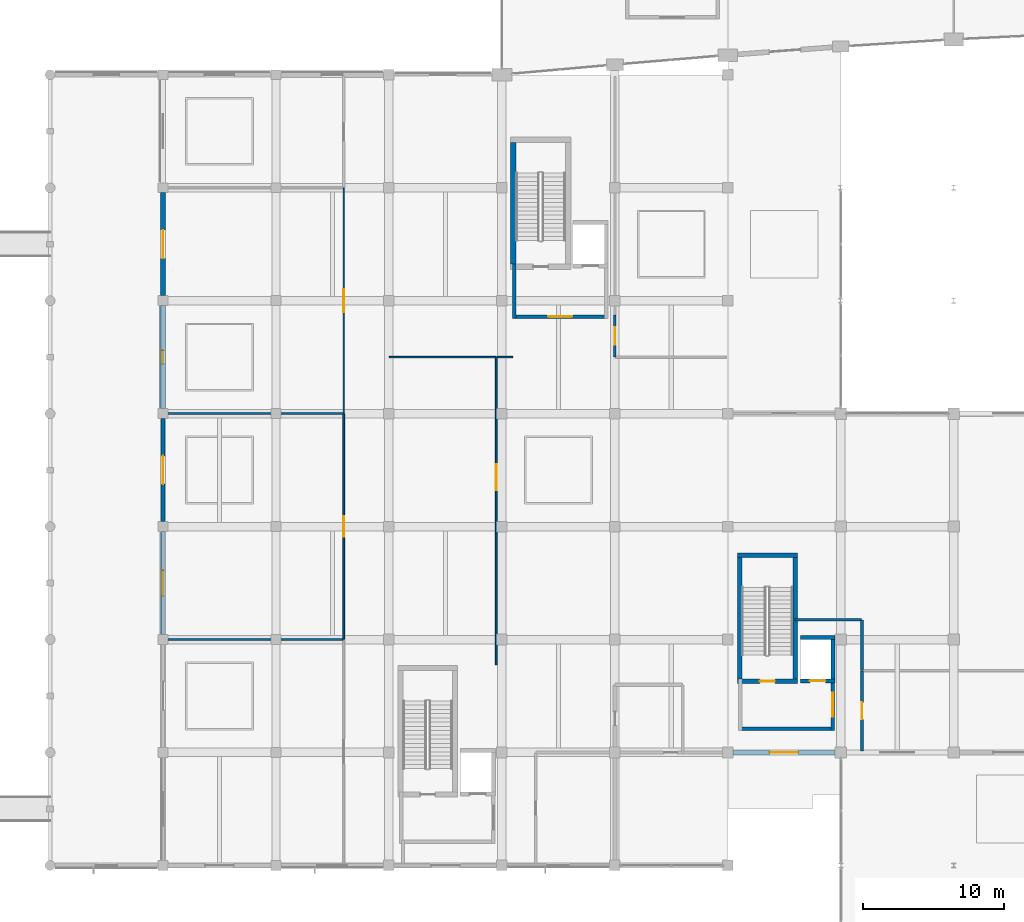
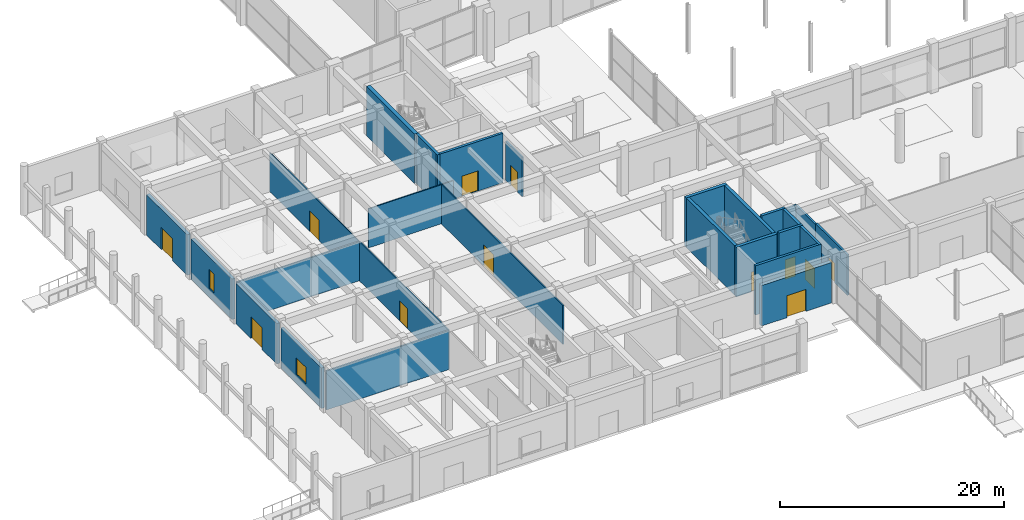
# One storey, part 55 of 86: 28 walls, 12 doors, 2 windows, 14 openings.
"""IFC4 building model written with IfcOpenShell, lengths in metres."""

from ifc_helpers import new_model, si_unit, direction, frame, frame_2d, origin, place, context, subcontext, project, spatial, rectangle, extrude, material, layer, layer_set, type_object, element, fill, save


model = new_model("IFC4")

# Units and contexts
model_context = context("Model", 3, precision=1e-05, world=origin(), true_north=direction((0.0, 1.0)))
body_context = subcontext(model_context, "Body", "Model", "MODEL_VIEW")
ifc_project = project(units=[si_unit("LENGTHUNIT", "METRE"), si_unit("AREAUNIT", "SQUARE_METRE"), si_unit("VOLUMEUNIT", "CUBIC_METRE"), si_unit("PLANEANGLEUNIT", "RADIAN"), si_unit("MASSUNIT", "GRAM", prefix="KILO")], contexts=[model_context])

# Site, building, storey
site_placement = place(None, origin())
site = spatial("IfcSite", under=ifc_project, at=site_placement, CompositionType="ELEMENT")
building_placement = place(site_placement, origin())
building = spatial("IfcBuilding", under=site, at=building_placement, Name="Kenh Van Central Station", CompositionType="ELEMENT")
storey_placement = place(building_placement, origin())
storey = spatial("IfcBuildingStorey", under=building, at=storey_placement, Name="L00", CompositionType="ELEMENT", Elevation=0.0)

# Walls
ifc_material_1 = material(Name="Lightweight acoustic masonry blockwork", Category="masonry")
ifc_layer_1 = layer(ifc_material_1, 0.18994140625, Name="Lightweight acoustic masonry blockwork")
ifc_layer_set_1 = layer_set([ifc_layer_1], Name="Lightweight acoustic masonry blockwork")
wall_type_1 = type_object("IfcWallType", Name="WL-COMP-190", PredefinedType="SOLIDWALL", material=ifc_layer_set_1)
wall_1_placement = place(storey_placement, frame((52.77001953125, 25.39990234375, 0.0), z_axis=(0.0, 0.0, 1.0), x_axis=(1.0, 0.0, 0.0)))
element("IfcWall", 1, at=wall_1_placement, inside=storey, type_object=wall_type_1, Name="L00 interior wall 0067", PredefinedType="SOLIDWALL", context=body_context, shape_type="SweptSolid", body=[
    extrude(rectangle(XDim=4.7099609375, YDim=0.18994140625, at=frame_2d((2.35498046875, 0.0))), origin(), (0.0, 0.0, 1.0), 4.27001953125),
])
wall_2_placement = place(storey_placement, frame((57.5, 21.820068359375, 0.0), z_axis=(0.0, 0.0, 1.0), x_axis=(0.0, 1.0, 0.0)))
element("IfcWall", 2, at=wall_2_placement, inside=storey, type_object=wall_type_1, Name="L00 interior wall 0069", PredefinedType="SOLIDWALL", context=body_context, shape_type="SweptSolid", body=[
    extrude(rectangle(XDim=3.559814453125, YDim=0.18994140625, at=frame_2d((1.77978515625, 0.0))), origin(), (0.0, 0.0, 1.0), 4.27001953125),
])

# Wall, opening, door
ifc_layer_2 = layer(ifc_material_1, 0.2099609375, Name="Lightweight acoustic masonry blockwork")
ifc_layer_set_2 = layer_set([ifc_layer_2], Name="Lightweight acoustic masonry blockwork")
wall_type_2 = type_object("IfcWallType", Name="WL-COMP-210", PredefinedType="SOLIDWALL", material=ifc_layer_set_2)
wall_3_placement = place(storey_placement, frame((57.5, 16.1201171875, 0.0), z_axis=(0.0, 0.0, 1.0), x_axis=(0.0, 1.0, 0.0)))
wall_3 = element("IfcWall", 3, at=wall_3_placement, inside=storey, type_object=wall_type_2, Name="L00 interior wall 0068", PredefinedType="SOLIDWALL", context=body_context, shape_type="SweptSolid", body=[
    extrude(rectangle(XDim=5.659912109375, YDim=0.2099609375, at=frame_2d((2.830078125, 0.0))), origin(), (0.0, 0.0, 1.0), 4.419921875),
])
opening_1_placement = place(wall_3_placement, frame((2.22998046875, 0.0, 0.0)))
opening_1 = element("IfcOpeningElement", 4, at=opening_1_placement, cuts=wall_3, Name="Opening D-FD60S", PredefinedType="OPENING", context=body_context, shape_type="SweptSolid", body=[
    extrude(rectangle(XDim=1.199951171875, YDim=2.14990234375, at=frame_2d((0.60009765625, 1.074951171875))), frame((0.0, 0.114990234375, 0.0), z_axis=(0.0, -1.0, 0.0), x_axis=(1.0, 0.0, 0.0)), (0.0, 0.0, 1.0), 0.22998046875),
])
ifc_material_2 = material(Name="Champagne anodised aluminium", Category="aluminium")
door_type_1 = type_object("IfcDoorType", Name="DR-FIRE-1200x2150", OperationType="NOTDEFINED", PredefinedType="DOOR", material=ifc_material_2)
door_1_placement = place(opening_1_placement, origin())
door_1 = element("IfcDoor", 5, at=door_1_placement, inside=storey, type_object=door_type_1, Name="L00 interior door 0038", OperationType="SINGLE_SWING_LEFT", OverallHeight=2.14990234375, OverallWidth=1.199951171875, PredefinedType="DOOR", context=body_context, shape_type="SweptSolid", body=[
    extrude(rectangle(XDim=1.199951171875, YDim=2.14990234375, at=frame_2d((0.60009765625, 1.074951171875))), frame((0.0, 0.02490234375, 0.0), z_axis=(0.0, -1.0, 0.0), x_axis=(1.0, 0.0, 0.0)), (0.0, 0.0, 1.0), 0.050048828125),
])
fill(opening_1, door_1)

ifc_material_3 = material(Name="Concrete C40/50", Category="concrete")
ifc_layer_3 = layer(ifc_material_3, 0.280029296875, Name="Concrete C40/50")
ifc_layer_set_3 = layer_set([ifc_layer_3], Name="Concrete C40/50")
wall_type_3 = type_object("IfcWallType", Name="WL-CORE-280", PredefinedType="SHEAR", material=ifc_layer_set_3)
wall_4_placement = place(storey_placement, frame((53.14990234375, 21.06005859375, 0.0), z_axis=(0.0, 0.0, 1.0), x_axis=(1.0, 0.0, 0.0)))
wall_4 = element("IfcWall", 6, at=wall_4_placement, inside=storey, type_object=wall_type_3, Name="L00 LIFT-P3 shaft wall S", PredefinedType="SHEAR", context=body_context, shape_type="SweptSolid", body=[
    extrude(rectangle(XDim=2.43017578125, YDim=0.280029296875, at=frame_2d((1.215087890625, 0.0))), origin(), (0.0, 0.0, 1.0), 5.39990234375),
])
opening_2_placement = place(wall_4_placement, frame((0.6650390625, 0.0, 0.0)))
opening_2 = element("IfcOpeningElement", 7, at=opening_2_placement, cuts=wall_4, Name="Opening LD-P1", PredefinedType="OPENING", context=body_context, shape_type="SweptSolid", body=[
    extrude(rectangle(XDim=1.10009765625, YDim=2.14990234375, at=frame_2d((0.550048828125, 1.074951171875))), frame((0.0, 0.14990234375, 0.0), z_axis=(0.0, -1.0, 0.0), x_axis=(1.0, 0.0, 0.0)), (0.0, 0.0, 1.0), 0.300048828125),
])
door_type_2 = type_object("IfcDoorType", Name="DR-LIFT-1100x2150", OperationType="SLIDING_TO_LEFT", PredefinedType="DOOR", material=ifc_material_2)
door_2_placement = place(opening_2_placement, origin())
door_2 = element("IfcDoor", 8, at=door_2_placement, inside=storey, type_object=door_type_2, Name="L00 LIFT-P3 sliding landing door", OperationType="SLIDING_TO_LEFT", OverallHeight=2.14990234375, OverallWidth=1.10009765625, PredefinedType="DOOR", context=body_context, shape_type="SweptSolid", body=[
    extrude(rectangle(XDim=1.10009765625, YDim=2.14990234375, at=frame_2d((0.550048828125, 1.074951171875))), frame((0.0, 0.02490234375, 0.0), z_axis=(0.0, -1.0, 0.0), x_axis=(1.0, 0.0, 0.0)), (0.0, 0.0, 1.0), 0.050048828125),
])
fill(opening_2, door_2)

# Walls
wall_5_placement = place(storey_placement, frame((53.14990234375, 24.139892578125, 0.0), z_axis=(0.0, 0.0, 1.0), x_axis=(1.0, 0.0, 0.0)))
element("IfcWall", 9, at=wall_5_placement, inside=storey, type_object=wall_type_3, Name="L00 LIFT-P3 shaft wall N", PredefinedType="SHEAR", context=body_context, shape_type="SweptSolid", body=[
    extrude(rectangle(XDim=2.43017578125, YDim=0.280029296875, at=frame_2d((1.215087890625, 0.0))), origin(), (0.0, 0.0, 1.0), 5.39990234375),
])
wall_6_placement = place(storey_placement, frame((55.43994140625, 21.199951171875, 0.0), z_axis=(0.0, 0.0, 1.0), x_axis=(0.0, 1.0, 0.0)))
element("IfcWall", 10, at=wall_6_placement, inside=storey, type_object=wall_type_3, Name="L00 LIFT-P3 shaft wall E", PredefinedType="SHEAR", context=body_context, shape_type="SweptSolid", body=[
    extrude(rectangle(XDim=2.800048828125, YDim=0.280029296875, at=frame_2d((1.39990234375, 0.0))), origin(), (0.0, 0.0, 1.0), 5.39990234375),
])

# Wall, opening, door
ifc_layer_4 = layer(ifc_material_3, 0.320068359375, Name="Concrete C40/50")
ifc_layer_set_4 = layer_set([ifc_layer_4], Name="Concrete C40/50")
wall_type_4 = type_object("IfcWallType", Name="WL-CORE-320", PredefinedType="SHEAR", material=ifc_layer_set_4)
wall_7_placement = place(storey_placement, frame((48.679931640625, 21.0400390625, 0.0), z_axis=(0.0, 0.0, 1.0), x_axis=(1.0, 0.0, 0.0)))
wall_7 = element("IfcWall", 11, at=wall_7_placement, inside=storey, type_object=wall_type_4, Name="L00 CORE-03 stair wall S", PredefinedType="SHEAR", context=body_context, shape_type="SweptSolid", body=[
    extrude(rectangle(XDim=4.239990234375, YDim=0.320068359375, at=frame_2d((2.1201171875, 0.0))), origin(), (0.0, 0.0, 1.0), 5.39990234375),
])
opening_3_placement = place(wall_7_placement, frame((1.594970703125, 0.0, 0.0)))
opening_3 = element("IfcOpeningElement", 12, at=opening_3_placement, cuts=wall_7, Name="Opening D-FD60", PredefinedType="OPENING", context=body_context, shape_type="SweptSolid", body=[
    extrude(rectangle(XDim=1.050048828125, YDim=2.14990234375, at=frame_2d((0.52490234375, 1.074951171875))), frame((0.0, 0.169921875, 0.0), z_axis=(0.0, -1.0, 0.0), x_axis=(1.0, 0.0, 0.0)), (0.0, 0.0, 1.0), 0.340087890625),
])
door_type_3 = type_object("IfcDoorType", Name="DR-FIRE-1050x2150", OperationType="NOTDEFINED", PredefinedType="DOOR", material=ifc_material_2)
door_3_placement = place(opening_3_placement, origin())
door_3 = element("IfcDoor", 13, at=door_3_placement, inside=storey, type_object=door_type_3, Name="L00 ST-03 stair door", OperationType="SINGLE_SWING_LEFT", OverallHeight=2.14990234375, OverallWidth=1.050048828125, PredefinedType="DOOR", context=body_context, shape_type="SweptSolid", body=[
    extrude(rectangle(XDim=1.050048828125, YDim=2.14990234375, at=frame_2d((0.52490234375, 1.074951171875))), frame((0.0, 0.02490234375, 0.0), z_axis=(0.0, -1.0, 0.0), x_axis=(1.0, 0.0, 0.0)), (0.0, 0.0, 1.0), 0.050048828125),
])
fill(opening_3, door_3)

# Walls
wall_8_placement = place(storey_placement, frame((48.679931640625, 29.9599609375, 0.0), z_axis=(0.0, 0.0, 1.0), x_axis=(1.0, 0.0, 0.0)))
element("IfcWall", 14, at=wall_8_placement, inside=storey, type_object=wall_type_4, Name="L00 CORE-03 stair wall N", PredefinedType="SHEAR", context=body_context, shape_type="SweptSolid", body=[
    extrude(rectangle(XDim=4.239990234375, YDim=0.320068359375, at=frame_2d((2.1201171875, 0.0))), origin(), (0.0, 0.0, 1.0), 5.39990234375),
])
for number, where, z_axis, x_axis, name in (
    (15, (48.840087890625, 21.199951171875, 0.0), (0.0, 0.0, 1.0), (0.0, 1.0, 0.0), "L00 CORE-03 stair wall W"),
    (16, (52.760009765625, 21.199951171875, 0.0), (0.0, 0.0, 1.0), (0.0, 1.0, 0.0), "L00 CORE-03 stair wall E"),
):
    element("IfcWall", number, at=place(storey_placement, frame(where, z_axis=z_axis, x_axis=x_axis)), inside=storey, type_object=wall_type_4, Name=name, PredefinedType="SHEAR", context=body_context, shape_type="SweptSolid", body=[
        extrude(rectangle(XDim=8.60009765625, YDim=0.320068359375, at=frame_2d((4.300048828125, 0.0))), origin(), (0.0, 0.0, 1.0), 5.39990234375),
    ])
ifc_layer_5 = layer(ifc_material_3, 0.39990234375, Name="Concrete C40/50")
ifc_layer_set_5 = layer_set([ifc_layer_5], Name="Concrete C40/50")
wall_type_5 = type_object("IfcWallType", Name="WL-CORE-400", PredefinedType="SHEAR", material=ifc_layer_set_5)
wall_9_placement = place(storey_placement, frame((32.800048828125, 50.60009765625, 0.0), z_axis=(0.0, 0.0, 1.0), x_axis=(0.0, 1.0, 0.0)))
element("IfcWall", 17, at=wall_9_placement, inside=storey, type_object=wall_type_5, Name="L00 CORE-02 stair wall W", PredefinedType="SHEAR", context=body_context, shape_type="SweptSolid", body=[
    extrude(rectangle(XDim=8.599853515625, YDim=0.39990234375, at=frame_2d((4.2998046875, 0.0))), origin(), (0.0, 0.0, 1.0), 5.39990234375),
])

# Wall, opening, window
ifc_material_4 = material(Name="Saigon buff sandstone and terracotta masonry", Category="masonry")
ifc_layer_6 = layer(ifc_material_4, 0.2900390625, Name="Saigon buff sandstone and terracotta masonry")
ifc_layer_set_6 = layer_set([ifc_layer_6], Name="Saigon buff sandstone and terracotta masonry")
wall_type_6 = type_object("IfcWallType", Name="WL-EXT-290", PredefinedType="STANDARD", material=ifc_layer_set_6)
wall_10_placement = place(storey_placement, frame((8.0, 31.64990234375, 0.0), z_axis=(0.0, 0.0, 1.0), x_axis=(0.0, -1.0, 0.0)))
wall_10 = element("IfcWall", 18, at=wall_10_placement, inside=storey, type_object=wall_type_6, Name="L00 exterior wall 028", PredefinedType="STANDARD", context=body_context, shape_type="SweptSolid", body=[
    extrude(rectangle(XDim=7.2998046875, YDim=0.2900390625, at=frame_2d((3.64990234375, 0.0))), origin(), (0.0, 0.0, 1.0), 4.419921875),
])
opening_4_placement = place(wall_10_placement, frame((2.75, 0.0, 0.949951171875)))
opening_4 = element("IfcOpeningElement", 19, at=opening_4_placement, cuts=wall_10, Name="Opening WN-13", PredefinedType="OPENING", context=body_context, shape_type="SweptSolid", body=[
    extrude(rectangle(XDim=1.800048828125, YDim=1.85009765625, at=frame_2d((0.89990234375, 0.925048828125))), frame((0.0, 0.155029296875, 0.0), z_axis=(0.0, -1.0, 0.0), x_axis=(1.0, 0.0, 0.0)), (0.0, 0.0, 1.0), 0.31005859375),
])
ifc_material_5 = material(Name="Double-glazed low-E laminated solar glass", Category="glass")
window_type_1 = type_object("IfcWindowType", Name="WN-OP00-1800x1850", PartitioningType="DOUBLE_PANEL_VERTICAL", PredefinedType="WINDOW", material=ifc_material_5)
window_1_placement = place(opening_4_placement, origin())
window_1 = element("IfcWindow", 20, at=window_1_placement, inside=storey, type_object=window_type_1, Name="L00 window 007", OverallHeight=1.85009765625, OverallWidth=1.800048828125, PartitioningType="SINGLE_PANEL", PredefinedType="WINDOW", context=body_context, shape_type="SweptSolid", body=[
    extrude(rectangle(XDim=1.800048828125, YDim=1.85009765625, at=frame_2d((0.89990234375, 0.925048828125))), frame((0.0, 0.030029296875, 0.0), z_axis=(0.0, -1.0, 0.0), x_axis=(1.0, 0.0, 0.0)), (0.0, 0.0, 1.0), 0.06005859375),
])
fill(opening_4, window_1)

# Wall, opening, door
ifc_layer_7 = layer(ifc_material_4, 0.31005859375, Name="Saigon buff sandstone and terracotta masonry")
ifc_layer_set_7 = layer_set([ifc_layer_7], Name="Saigon buff sandstone and terracotta masonry")
wall_type_7 = type_object("IfcWallType", Name="WL-EXT-310", PredefinedType="STANDARD", material=ifc_layer_set_7)
wall_11_placement = place(storey_placement, frame((8.0, 39.64990234375, 0.0), z_axis=(0.0, 0.0, 1.0), x_axis=(0.0, -1.0, 0.0)))
wall_11 = element("IfcWall", 21, at=wall_11_placement, inside=storey, type_object=wall_type_7, Name="L00 exterior wall 027", PredefinedType="STANDARD", context=body_context, shape_type="SweptSolid", body=[
    extrude(rectangle(XDim=7.2998046875, YDim=0.31005859375, at=frame_2d((3.64990234375, 0.0))), origin(), (0.0, 0.0, 1.0), 4.419921875),
])
opening_5_placement = place(wall_11_placement, frame((2.64990234375, 0.0, 0.0)))
opening_5 = element("IfcOpeningElement", 22, at=opening_5_placement, cuts=wall_11, Name="Opening D-EX3", PredefinedType="OPENING", context=body_context, shape_type="SweptSolid", body=[
    extrude(rectangle(XDim=2.0, YDim=2.39990234375, at=frame_2d((1.0, 1.199951171875))), frame((0.0, 0.1650390625, 0.0), z_axis=(0.0, -1.0, 0.0), x_axis=(1.0, 0.0, 0.0)), (0.0, 0.0, 1.0), 0.330078125),
])
door_type_4 = type_object("IfcDoorType", Name="DR-EXT-2000x2400", OperationType="DOUBLE_DOOR_SINGLE_SWING", PredefinedType="DOOR", material=ifc_material_2)
door_4_placement = place(opening_5_placement, frame((2.0, 0.0, 0.0), z_axis=(0.0, 0.0, 1.0), x_axis=(-1.0, 0.0, 0.0)))
door_4 = element("IfcDoor", 23, at=door_4_placement, inside=storey, type_object=door_type_4, Name="L00 exterior door 021", OperationType="DOUBLE_DOOR_SINGLE_SWING", OverallHeight=2.39990234375, OverallWidth=2.0, PredefinedType="DOOR", context=body_context, shape_type="SweptSolid", body=[
    extrude(rectangle(XDim=2.0, YDim=2.39990234375, at=frame_2d((-1.0, 1.199951171875))), frame((0.0, -0.02490234375, 0.0), z_axis=(0.0, 1.0, 0.0), x_axis=(-1.0, 0.0, 0.0)), (0.0, 0.0, 1.0), 0.050048828125),
])
fill(opening_5, door_4)

# Wall, opening, window
ifc_layer_8 = layer(ifc_material_4, 0.330078125, Name="Saigon buff sandstone and terracotta masonry")
ifc_layer_set_8 = layer_set([ifc_layer_8], Name="Saigon buff sandstone and terracotta masonry")
wall_type_8 = type_object("IfcWallType", Name="WL-EXT-330", PredefinedType="STANDARD", material=ifc_layer_set_8)
wall_12_placement = place(storey_placement, frame((8.0, 47.64990234375, 0.0), z_axis=(0.0, 0.0, 1.0), x_axis=(0.0, -1.0, 0.0)))
wall_12 = element("IfcWall", 24, at=wall_12_placement, inside=storey, type_object=wall_type_8, Name="L00 exterior wall 026", PredefinedType="STANDARD", context=body_context, shape_type="SweptSolid", body=[
    extrude(rectangle(XDim=7.2998046875, YDim=0.330078125, at=frame_2d((3.64990234375, 0.0))), origin(), (0.0, 0.0, 1.0), 4.419921875),
])
opening_6_placement = place(wall_12_placement, frame((3.175048828125, 0.0, 0.949951171875)))
opening_6 = element("IfcOpeningElement", 25, at=opening_6_placement, cuts=wall_12, Name="Opening WN-24", PredefinedType="OPENING", context=body_context, shape_type="SweptSolid", body=[
    extrude(rectangle(XDim=0.949951171875, YDim=2.10009765625, at=frame_2d((0.47509765625, 1.050048828125))), frame((0.0, 0.175048828125, 0.0), z_axis=(0.0, -1.0, 0.0), x_axis=(1.0, 0.0, 0.0)), (0.0, 0.0, 1.0), 0.35009765625),
])
window_type_2 = type_object("IfcWindowType", Name="WN-SLOT-950x2100", PartitioningType="SINGLE_PANEL", PredefinedType="WINDOW", material=ifc_material_5)
window_2_placement = place(opening_6_placement, origin())
window_2 = element("IfcWindow", 26, at=window_2_placement, inside=storey, type_object=window_type_2, Name="L00 window 006", OverallHeight=2.10009765625, OverallWidth=0.949951171875, PartitioningType="SINGLE_PANEL", PredefinedType="WINDOW", context=body_context, shape_type="SweptSolid", body=[
    extrude(rectangle(XDim=0.949951171875, YDim=2.10009765625, at=frame_2d((0.47509765625, 1.050048828125))), frame((0.0, 0.030029296875, 0.0), z_axis=(0.0, -1.0, 0.0), x_axis=(1.0, 0.0, 0.0)), (0.0, 0.0, 1.0), 0.06005859375),
])
fill(opening_6, window_2)

# Wall, opening, door
ifc_layer_9 = layer(ifc_material_4, 0.35009765625, Name="Saigon buff sandstone and terracotta masonry")
ifc_layer_set_9 = layer_set([ifc_layer_9], Name="Saigon buff sandstone and terracotta masonry")
wall_type_9 = type_object("IfcWallType", Name="WL-EXT-350", PredefinedType="STANDARD", material=ifc_layer_set_9)
wall_13_placement = place(storey_placement, frame((8.0, 55.64990234375, 0.0), z_axis=(0.0, 0.0, 1.0), x_axis=(0.0, -1.0, 0.0)))
wall_13 = element("IfcWall", 27, at=wall_13_placement, inside=storey, type_object=wall_type_9, Name="L00 exterior wall 025", PredefinedType="STANDARD", context=body_context, shape_type="SweptSolid", body=[
    extrude(rectangle(XDim=7.2998046875, YDim=0.35009765625, at=frame_2d((3.64990234375, 0.0))), origin(), (0.0, 0.0, 1.0), 4.419921875),
])
opening_7_placement = place(wall_13_placement, frame((2.64990234375, 0.0, 0.0)))
opening_7 = element("IfcOpeningElement", 28, at=opening_7_placement, cuts=wall_13, Name="Opening D-EX3", PredefinedType="OPENING", context=body_context, shape_type="SweptSolid", body=[
    extrude(rectangle(XDim=2.0, YDim=2.39990234375, at=frame_2d((1.0, 1.199951171875))), frame((0.0, 0.18505859375, 0.0), z_axis=(0.0, -1.0, 0.0), x_axis=(1.0, 0.0, 0.0)), (0.0, 0.0, 1.0), 0.3701171875),
])
door_5_placement = place(opening_7_placement, frame((2.0, 0.0, 0.0), z_axis=(0.0, 0.0, 1.0), x_axis=(-1.0, 0.0, 0.0)))
door_5 = element("IfcDoor", 29, at=door_5_placement, inside=storey, type_object=door_type_4, Name="L00 exterior door 020", OperationType="DOUBLE_DOOR_SINGLE_SWING", OverallHeight=2.39990234375, OverallWidth=2.0, PredefinedType="DOOR", context=body_context, shape_type="SweptSolid", body=[
    extrude(rectangle(XDim=2.0, YDim=2.39990234375, at=frame_2d((-1.0, 1.199951171875))), frame((0.0, -0.02490234375, 0.0), z_axis=(0.0, 1.0, 0.0), x_axis=(-1.0, 0.0, 0.0)), (0.0, 0.0, 1.0), 0.050048828125),
])
fill(opening_7, door_5)

ifc_layer_10 = layer(ifc_material_4, 0.3798828125, Name="Saigon buff sandstone and terracotta masonry")
ifc_layer_set_10 = layer_set([ifc_layer_10], Name="Saigon buff sandstone and terracotta masonry")
wall_type_10 = type_object("IfcWallType", Name="WL-EXT-380", PredefinedType="STANDARD", material=ifc_layer_set_10)
wall_14_placement = place(storey_placement, frame((48.375, 16.0, 0.0), z_axis=(0.0, 0.0, 1.0), x_axis=(1.0, 0.0, 0.0)))
wall_14 = element("IfcWall", 30, at=wall_14_placement, inside=storey, type_object=wall_type_10, Name="L00 exterior wall 008", PredefinedType="STANDARD", context=body_context, shape_type="SweptSolid", body=[
    extrude(rectangle(XDim=7.22509765625, YDim=0.3798828125, at=frame_2d((3.612548828125, 0.0))), origin(), (0.0, 0.0, 1.0), 4.419921875),
])
opening_8_placement = place(wall_14_placement, frame((2.612548828125, 0.0, 0.0)))
opening_8 = element("IfcOpeningElement", 31, at=opening_8_placement, cuts=wall_14, Name="Opening D-EX3", PredefinedType="OPENING", context=body_context, shape_type="SweptSolid", body=[
    extrude(rectangle(XDim=2.0, YDim=2.39990234375, at=frame_2d((1.0, 1.199951171875))), frame((0.0, 0.199951171875, 0.0), z_axis=(0.0, -1.0, 0.0), x_axis=(1.0, 0.0, 0.0)), (0.0, 0.0, 1.0), 0.39990234375),
])
door_6_placement = place(opening_8_placement, frame((2.0, 0.0, 0.0), z_axis=(0.0, 0.0, 1.0), x_axis=(-1.0, 0.0, 0.0)))
door_6 = element("IfcDoor", 32, at=door_6_placement, inside=storey, type_object=door_type_4, Name="L00 exterior door 007", OperationType="DOUBLE_DOOR_SINGLE_SWING", OverallHeight=2.39990234375, OverallWidth=2.0, PredefinedType="DOOR", context=body_context, shape_type="SweptSolid", body=[
    extrude(rectangle(XDim=2.0, YDim=2.39990234375, at=frame_2d((-1.0, 1.199951171875))), frame((0.0, -0.02490234375, 0.0), z_axis=(0.0, 1.0, 0.0), x_axis=(-1.0, 0.0, 0.0)), (0.0, 0.0, 1.0), 0.050048828125),
])
fill(opening_8, door_6)

ifc_layer_11 = layer(ifc_material_3, 0.260009765625, Name="Concrete C40/50")
ifc_layer_set_11 = layer_set([ifc_layer_11], Name="Concrete C40/50")
wall_type_11 = type_object("IfcWallType", Name="WL-FIRE-260", PredefinedType="SHEAR", material=ifc_layer_set_11)
wall_15_placement = place(storey_placement, frame((39.510009765625, 46.8701171875, 0.0), z_axis=(0.0, 0.0, 1.0), x_axis=(-1.0, 0.0, 0.0)))
wall_15 = element("IfcWall", 33, at=wall_15_placement, inside=storey, type_object=wall_type_11, Name="L00 CORE-02 lobby wall S", PredefinedType="SHEAR", context=body_context, shape_type="SweptSolid", body=[
    extrude(rectangle(XDim=6.77001953125, YDim=0.260009765625, at=frame_2d((3.385009765625, 0.0))), origin(), (0.0, 0.0, 1.0), 5.39990234375),
])
opening_9_placement = place(wall_15_placement, frame((2.534912109375, 0.0, 0.0)))
opening_9 = element("IfcOpeningElement", 34, at=opening_9_placement, cuts=wall_15, Name="Opening D-FD60D", PredefinedType="OPENING", context=body_context, shape_type="SweptSolid", body=[
    extrude(rectangle(XDim=1.699951171875, YDim=2.199951171875, at=frame_2d((0.85009765625, 1.10009765625))), frame((0.0, 0.139892578125, 0.0), z_axis=(0.0, -1.0, 0.0), x_axis=(1.0, 0.0, 0.0)), (0.0, 0.0, 1.0), 0.280029296875),
])
door_type_5 = type_object("IfcDoorType", Name="DR-FIRE-1700x2200", OperationType="DOUBLE_DOOR_SINGLE_SWING", PredefinedType="DOOR", material=ifc_material_2)
door_7_placement = place(opening_9_placement, origin())
door_7 = element("IfcDoor", 35, at=door_7_placement, inside=storey, type_object=door_type_5, Name="L00 CORE-02 smoke-stop lobby door", OperationType="DOUBLE_DOOR_SINGLE_SWING", OverallHeight=2.199951171875, OverallWidth=1.699951171875, PredefinedType="DOOR", context=body_context, shape_type="SweptSolid", body=[
    extrude(rectangle(XDim=1.699951171875, YDim=2.199951171875, at=frame_2d((0.85009765625, 1.10009765625))), frame((0.0, 0.02490234375, 0.0), z_axis=(0.0, -1.0, 0.0), x_axis=(1.0, 0.0, 0.0)), (0.0, 0.0, 1.0), 0.050048828125),
])
fill(opening_9, door_7)

# Walls
wall_16_placement = place(storey_placement, frame((32.8701171875, 46.739990234375, 0.0), z_axis=(0.0, 0.0, 1.0), x_axis=(0.0, 1.0, 0.0)))
element("IfcWall", 36, at=wall_16_placement, inside=storey, type_object=wall_type_11, Name="L00 CORE-02 lobby wall W", PredefinedType="SHEAR", context=body_context, shape_type="SweptSolid", body=[
    extrude(rectangle(XDim=3.860107421875, YDim=0.260009765625, at=frame_2d((1.93017578125, 0.0))), origin(), (0.0, 0.0, 1.0), 5.39990234375),
])
wall_17_placement = place(storey_placement, frame((55.56005859375, 17.669921875, 0.0), z_axis=(0.0, 0.0, 1.0), x_axis=(-1.0, 0.0, 0.0)))
element("IfcWall", 37, at=wall_17_placement, inside=storey, type_object=wall_type_11, Name="L00 CORE-03 lobby wall S", PredefinedType="SHEAR", context=body_context, shape_type="SweptSolid", body=[
    extrude(rectangle(XDim=6.820068359375, YDim=0.260009765625, at=frame_2d((3.41015625, 0.0))), origin(), (0.0, 0.0, 1.0), 5.39990234375),
])

# Wall, opening, door
wall_18_placement = place(storey_placement, frame((55.429931640625, 17.5400390625, 0.0), z_axis=(0.0, 0.0, 1.0), x_axis=(0.0, 1.0, 0.0)))
wall_18 = element("IfcWall", 38, at=wall_18_placement, inside=storey, type_object=wall_type_11, Name="L00 CORE-03 lobby wall E", PredefinedType="SHEAR", context=body_context, shape_type="SweptSolid", body=[
    extrude(rectangle(XDim=3.659912109375, YDim=0.260009765625, at=frame_2d((1.830078125, 0.0))), origin(), (0.0, 0.0, 1.0), 5.39990234375),
])
opening_10_placement = place(wall_18_placement, frame((0.97998046875, 0.0, 0.0)))
opening_10 = element("IfcOpeningElement", 39, at=opening_10_placement, cuts=wall_18, Name="Opening D-FD60D", PredefinedType="OPENING", context=body_context, shape_type="SweptSolid", body=[
    extrude(rectangle(XDim=1.699951171875, YDim=2.199951171875, at=frame_2d((0.85009765625, 1.10009765625))), frame((0.0, 0.139892578125, 0.0), z_axis=(0.0, -1.0, 0.0), x_axis=(1.0, 0.0, 0.0)), (0.0, 0.0, 1.0), 0.280029296875),
])
door_8_placement = place(opening_10_placement, origin())
door_8 = element("IfcDoor", 40, at=door_8_placement, inside=storey, type_object=door_type_5, Name="L00 CORE-03 smoke-stop lobby door", OperationType="DOUBLE_DOOR_SINGLE_SWING", OverallHeight=2.199951171875, OverallWidth=1.699951171875, PredefinedType="DOOR", context=body_context, shape_type="SweptSolid", body=[
    extrude(rectangle(XDim=1.699951171875, YDim=2.199951171875, at=frame_2d((0.85009765625, 1.10009765625))), frame((0.0, 0.02490234375, 0.0), z_axis=(0.0, -1.0, 0.0), x_axis=(1.0, 0.0, 0.0)), (0.0, 0.0, 1.0), 0.050048828125),
])
fill(opening_10, door_8)

ifc_layer_12 = layer(ifc_material_1, 0.10009765625, Name="Lightweight acoustic masonry blockwork")
ifc_layer_set_12 = layer_set([ifc_layer_12], Name="Lightweight acoustic masonry blockwork")
wall_type_12 = type_object("IfcWallType", Name="WL-PART-100", PredefinedType="PARTITIONING", material=ifc_layer_set_12)
wall_19_placement = place(storey_placement, frame((20.800048828125, 40.02001953125, 0.0), z_axis=(0.0, 0.0, 1.0), x_axis=(0.0, 1.0, 0.0)))
wall_19 = element("IfcWall", 41, at=wall_19_placement, inside=storey, type_object=wall_type_12, Name="L00 interior wall 0041", PredefinedType="PARTITIONING", context=body_context, shape_type="SweptSolid", body=[
    extrude(rectangle(XDim=15.9599609375, YDim=0.10009765625, at=frame_2d((7.97998046875, 0.0))), origin(), (0.0, 0.0, 1.0), 4.27001953125),
])
opening_11_placement = place(wall_19_placement, frame((7.155029296875, 0.0, 0.0)))
opening_11 = element("IfcOpeningElement", 42, at=opening_11_placement, cuts=wall_19, Name="Opening D-IN02", PredefinedType="OPENING", context=body_context, shape_type="SweptSolid", body=[
    extrude(rectangle(XDim=1.64990234375, YDim=2.25, at=frame_2d((0.824951171875, 1.125))), frame((0.0, 0.06005859375, 0.0), z_axis=(0.0, -1.0, 0.0), x_axis=(1.0, 0.0, 0.0)), (0.0, 0.0, 1.0), 0.1201171875),
])
ifc_material_6 = material(Name="Architectural hardwood timber", Category="wood")
door_type_6 = type_object("IfcDoorType", Name="DR-INT-1650x2250", OperationType="DOUBLE_DOOR_SINGLE_SWING", PredefinedType="DOOR", material=ifc_material_6)
door_9_placement = place(opening_11_placement, origin())
door_9 = element("IfcDoor", 43, at=door_9_placement, inside=storey, type_object=door_type_6, Name="L00 interior door 0024", OperationType="DOUBLE_DOOR_SINGLE_SWING", OverallHeight=2.25, OverallWidth=1.64990234375, PredefinedType="DOOR", context=body_context, shape_type="SweptSolid", body=[
    extrude(rectangle(XDim=1.64990234375, YDim=2.25, at=frame_2d((0.824951171875, 1.125))), frame((0.0, 0.02490234375, 0.0), z_axis=(0.0, -1.0, 0.0), x_axis=(1.0, 0.0, 0.0)), (0.0, 0.0, 1.0), 0.050048828125),
])
fill(opening_11, door_9)

# Wall
wall_20_placement = place(storey_placement, frame((31.6201171875, 44.0, 0.0), z_axis=(0.0, 0.0, 1.0), x_axis=(1.0, 0.0, 0.0)))
element("IfcWall", 44, at=wall_20_placement, inside=storey, type_object=wall_type_12, Name="L00 interior wall 0048", PredefinedType="PARTITIONING", context=body_context, shape_type="SweptSolid", body=[
    extrude(rectangle(XDim=1.159912109375, YDim=0.10009765625, at=frame_2d((0.580078125, 0.0))), origin(), (0.0, 0.0, 1.0), 4.27001953125),
])

# Wall, opening, door
ifc_layer_13 = layer(ifc_material_1, 0.114990234375, Name="Lightweight acoustic masonry blockwork")
ifc_layer_set_13 = layer_set([ifc_layer_13], Name="Lightweight acoustic masonry blockwork")
wall_type_13 = type_object("IfcWallType", Name="WL-PART-115", PredefinedType="PARTITIONING", material=ifc_layer_set_13)
wall_21_placement = place(storey_placement, frame((20.800048828125, 24.02001953125, 0.0), z_axis=(0.0, 0.0, 1.0), x_axis=(0.0, 1.0, 0.0)))
wall_21 = element("IfcWall", 45, at=wall_21_placement, inside=storey, type_object=wall_type_13, Name="L00 interior wall 0040", PredefinedType="PARTITIONING", context=body_context, shape_type="SweptSolid", body=[
    extrude(rectangle(XDim=15.9599609375, YDim=0.114990234375, at=frame_2d((7.97998046875, 0.0))), origin(), (0.0, 0.0, 1.0), 4.27001953125),
])
opening_12_placement = place(wall_21_placement, frame((7.2548828125, 0.0, 0.0)))
opening_12 = element("IfcOpeningElement", 46, at=opening_12_placement, cuts=wall_21, Name="Opening D-IN03", PredefinedType="OPENING", context=body_context, shape_type="SweptSolid", body=[
    extrude(rectangle(XDim=1.449951171875, YDim=2.199951171875, at=frame_2d((0.72509765625, 1.10009765625))), frame((0.0, 0.0673828125, 0.0), z_axis=(0.0, -1.0, 0.0), x_axis=(1.0, 0.0, 0.0)), (0.0, 0.0, 1.0), 0.135009765625),
])
door_type_7 = type_object("IfcDoorType", Name="DR-INT-1450x2200", OperationType="DOUBLE_DOOR_SINGLE_SWING", PredefinedType="DOOR", material=ifc_material_6)
door_10_placement = place(opening_12_placement, origin())
door_10 = element("IfcDoor", 47, at=door_10_placement, inside=storey, type_object=door_type_7, Name="L00 interior door 0023", OperationType="DOUBLE_DOOR_SINGLE_SWING", OverallHeight=2.199951171875, OverallWidth=1.449951171875, PredefinedType="DOOR", context=body_context, shape_type="SweptSolid", body=[
    extrude(rectangle(XDim=1.449951171875, YDim=2.199951171875, at=frame_2d((0.72509765625, 1.10009765625))), frame((0.0, 0.02490234375, 0.0), z_axis=(0.0, -1.0, 0.0), x_axis=(1.0, 0.0, 0.0)), (0.0, 0.0, 1.0), 0.050048828125),
])
fill(opening_12, door_10)

# Wall
wall_22_placement = place(storey_placement, frame((24.02001953125, 44.0, 0.0), z_axis=(0.0, 0.0, 1.0), x_axis=(1.0, 0.0, 0.0)))
element("IfcWall", 48, at=wall_22_placement, inside=storey, type_object=wall_type_13, Name="L00 interior wall 0047", PredefinedType="PARTITIONING", context=body_context, shape_type="SweptSolid", body=[
    extrude(rectangle(XDim=7.56005859375, YDim=0.114990234375, at=frame_2d((3.780029296875, 0.0))), origin(), (0.0, 0.0, 1.0), 4.27001953125),
])

# Wall, opening, door
ifc_layer_14 = layer(ifc_material_1, 0.125, Name="Lightweight acoustic masonry blockwork")
ifc_layer_set_14 = layer_set([ifc_layer_14], Name="Lightweight acoustic masonry blockwork")
wall_type_14 = type_object("IfcWallType", Name="WL-PART-125", PredefinedType="PARTITIONING", material=ifc_layer_set_14)
wall_23_placement = place(storey_placement, frame((31.60009765625, 22.219970703125, 0.0), z_axis=(0.0, 0.0, 1.0), x_axis=(0.0, 1.0, 0.0)))
wall_23 = element("IfcWall", 49, at=wall_23_placement, inside=storey, type_object=wall_type_14, Name="L00 interior wall 0046", PredefinedType="PARTITIONING", context=body_context, shape_type="SweptSolid", body=[
    extrude(rectangle(XDim=21.760009765625, YDim=0.125, at=frame_2d((10.8798828125, 0.0))), origin(), (0.0, 0.0, 1.0), 4.27001953125),
])
opening_13_placement = place(wall_23_placement, frame((12.34423828125, 0.0, 0.0)))
opening_13 = element("IfcOpeningElement", 50, at=opening_13_placement, cuts=wall_23, Name="Opening D-IN01", PredefinedType="OPENING", context=body_context, shape_type="SweptSolid", body=[
    extrude(rectangle(XDim=1.85009765625, YDim=2.300048828125, at=frame_2d((0.925048828125, 1.14990234375))), frame((0.0, 0.072509765625, 0.0), z_axis=(0.0, -1.0, 0.0), x_axis=(1.0, 0.0, 0.0)), (0.0, 0.0, 1.0), 0.14501953125),
])
door_type_8 = type_object("IfcDoorType", Name="DR-INT-1850x2300", OperationType="DOUBLE_DOOR_SINGLE_SWING", PredefinedType="DOOR", material=ifc_material_6)
door_11_placement = place(opening_13_placement, origin())
door_11 = element("IfcDoor", 51, at=door_11_placement, inside=storey, type_object=door_type_8, Name="L00 interior door 0026", OperationType="DOUBLE_DOOR_SINGLE_SWING", OverallHeight=2.300048828125, OverallWidth=1.85009765625, PredefinedType="DOOR", context=body_context, shape_type="SweptSolid", body=[
    extrude(rectangle(XDim=1.85009765625, YDim=2.300048828125, at=frame_2d((0.925048828125, 1.14990234375))), frame((0.0, 0.02490234375, 0.0), z_axis=(0.0, -1.0, 0.0), x_axis=(1.0, 0.0, 0.0)), (0.0, 0.0, 1.0), 0.050048828125),
])
fill(opening_13, door_11)

# Walls
ifc_layer_15 = layer(ifc_material_1, 0.14990234375, Name="Lightweight acoustic masonry blockwork")
ifc_layer_set_15 = layer_set([ifc_layer_15], Name="Lightweight acoustic masonry blockwork")
wall_type_15 = type_object("IfcWallType", Name="WL-PART-150", PredefinedType="PARTITIONING", material=ifc_layer_set_15)
wall_24_placement = place(storey_placement, frame((8.1201171875, 40.0, 0.0), z_axis=(0.0, 0.0, 1.0), x_axis=(1.0, 0.0, 0.0)))
element("IfcWall", 52, at=wall_24_placement, inside=storey, type_object=wall_type_15, Name="L00 interior wall 0044", PredefinedType="PARTITIONING", context=body_context, shape_type="SweptSolid", body=[
    extrude(rectangle(XDim=12.659912109375, YDim=0.14990234375, at=frame_2d((6.330078125, 0.0))), origin(), (0.0, 0.0, 1.0), 4.27001953125),
])
ifc_layer_16 = layer(ifc_material_1, 0.159912109375, Name="Lightweight acoustic masonry blockwork")
ifc_layer_set_16 = layer_set([ifc_layer_16], Name="Lightweight acoustic masonry blockwork")
wall_type_16 = type_object("IfcWallType", Name="WL-PART-160", PredefinedType="PARTITIONING", material=ifc_layer_set_16)
wall_25_placement = place(storey_placement, frame((8.1201171875, 24.0, 0.0), z_axis=(0.0, 0.0, 1.0), x_axis=(1.0, 0.0, 0.0)))
element("IfcWall", 53, at=wall_25_placement, inside=storey, type_object=wall_type_16, Name="L00 interior wall 0043", PredefinedType="PARTITIONING", context=body_context, shape_type="SweptSolid", body=[
    extrude(rectangle(XDim=12.659912109375, YDim=0.159912109375, at=frame_2d((6.330078125, 0.0))), origin(), (0.0, 0.0, 1.0), 4.27001953125),
])

# Wall, opening, door
wall_26_placement = place(storey_placement, frame((40.0, 44.02001953125, 0.0), z_axis=(0.0, 0.0, 1.0), x_axis=(0.0, 1.0, 0.0)))
wall_26 = element("IfcWall", 54, at=wall_26_placement, inside=storey, type_object=wall_type_16, Name="L00 interior wall 0057", PredefinedType="PARTITIONING", context=body_context, shape_type="SweptSolid", body=[
    extrude(rectangle(XDim=2.9599609375, YDim=0.159912109375, at=frame_2d((1.47998046875, 0.0))), origin(), (0.0, 0.0, 1.0), 4.27001953125),
])
opening_14_placement = place(wall_26_placement, frame((0.85498046875, 0.0, 0.0)))
opening_14 = element("IfcOpeningElement", 55, at=opening_14_placement, cuts=wall_26, Name="Opening D-IN04", PredefinedType="OPENING", context=body_context, shape_type="SweptSolid", body=[
    extrude(rectangle(XDim=1.25, YDim=2.14990234375, at=frame_2d((0.625, 1.074951171875))), frame((0.0, 0.08984375, 0.0), z_axis=(0.0, -1.0, 0.0), x_axis=(1.0, 0.0, 0.0)), (0.0, 0.0, 1.0), 0.179931640625),
])
door_type_9 = type_object("IfcDoorType", Name="DR-INT-1250x2150", OperationType="NOTDEFINED", PredefinedType="DOOR", material=ifc_material_6)
door_12_placement = place(opening_14_placement, origin())
door_12 = element("IfcDoor", 56, at=door_12_placement, inside=storey, type_object=door_type_9, Name="L00 interior door 0030", OperationType="SINGLE_SWING_LEFT", OverallHeight=2.14990234375, OverallWidth=1.25, PredefinedType="DOOR", context=body_context, shape_type="SweptSolid", body=[
    extrude(rectangle(XDim=1.25, YDim=2.14990234375, at=frame_2d((0.625, 1.074951171875))), frame((0.0, 0.02490234375, 0.0), z_axis=(0.0, -1.0, 0.0), x_axis=(1.0, 0.0, 0.0)), (0.0, 0.0, 1.0), 0.050048828125),
])
fill(opening_14, door_12)

save(model, "model.ifc")
